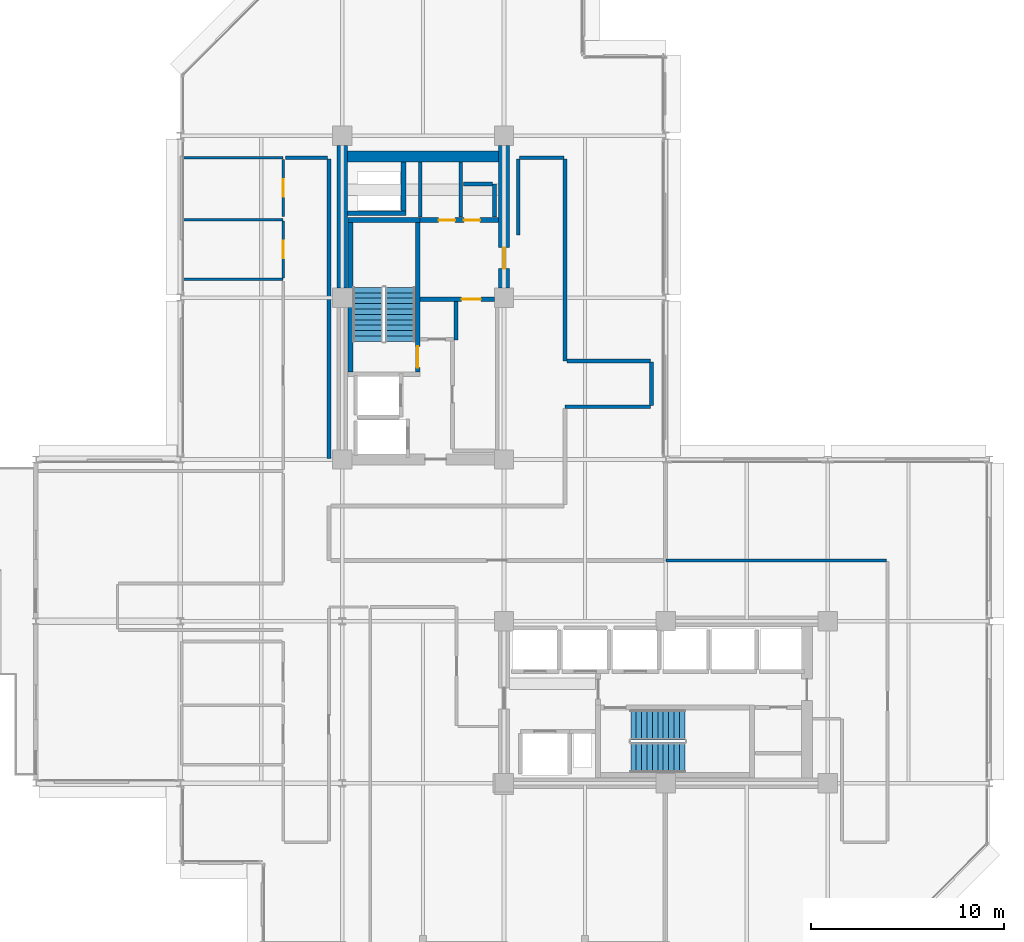
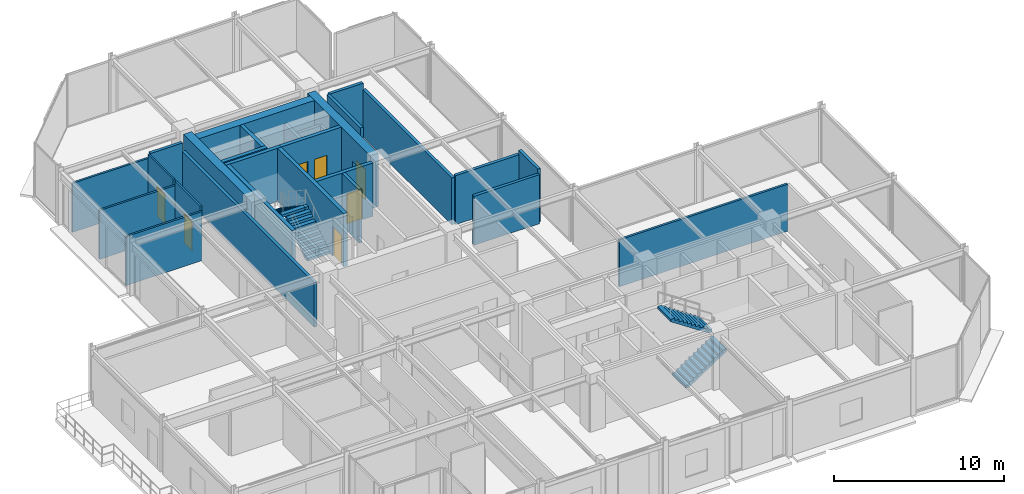
# One storey, part 26 of 29: 29 walls, 7 doors, 4 stair flights, 7 openings, 2 elements without a shape of their own.
"""IFC4 building model written with IfcOpenShell, lengths in metres."""

from ifc_helpers import new_model, si_unit, direction, frame, frame_2d, origin, place, context, subcontext, project, spatial, polyline, rectangle, outline, extrude, material, layer, layer_set, type_object, element, fill, aggregate, save


model = new_model("IFC4")

# Units and contexts
model_context = context("Model", 3, precision=1e-05, world=origin(), true_north=direction((0.0, 1.0)))
body_context = subcontext(model_context, "Body", "Model", "MODEL_VIEW")
ifc_project = project(units=[si_unit("LENGTHUNIT", "METRE"), si_unit("AREAUNIT", "SQUARE_METRE"), si_unit("VOLUMEUNIT", "CUBIC_METRE"), si_unit("PLANEANGLEUNIT", "RADIAN"), si_unit("MASSUNIT", "GRAM", prefix="KILO")], contexts=[model_context])

# Site, building, storey
site_placement = place(None, origin())
site = spatial("IfcSite", under=ifc_project, at=site_placement, CompositionType="ELEMENT")
building_placement = place(site_placement, origin())
building = spatial("IfcBuilding", under=site, at=building_placement, Name="Nerrivon Quay Data Exchange", CompositionType="ELEMENT")
storey_placement = place(building_placement, frame((0.0, 0.0, 191.89990234375)))
storey = spatial("IfcBuildingStorey", under=building, at=storey_placement, Name="L45", CompositionType="ELEMENT", Elevation=191.89990234375)

# Walls
ifc_material_1 = material(Name="Concrete S65 (65 MPa)", Category="concrete")
ifc_layer_1 = layer(ifc_material_1, 0.550048828125)
ifc_layer_set_1 = layer_set([ifc_layer_1], Name="Concrete S65 (65 MPa)")
wall_type_1 = type_object("IfcWallType", Name="WALL-CW-700", PredefinedType="SHEAR", material=ifc_layer_set_1)
wall_1_placement = place(storey_placement, frame((8.39990234375, 34.10009765625, 0.0), z_axis=(0.0, 0.0, 1.0), x_axis=(0.0, 1.0, 0.0)))
element("IfcWall", 1, at=wall_1_placement, inside=storey, type_object=wall_type_1, Name="L45 West Split-Core Shear Wall WCW-W2", PredefinedType="SHEAR", context=body_context, shape_type="SweptSolid", body=[
    extrude(rectangle(XDim=7.39990234375, YDim=0.550048828125, at=frame_2d((3.699951171875, 0.0))), origin(), (0.0, 0.0, 1.0), 3.8251953125),
])
wall_2_placement = place(storey_placement, frame((8.675048828125, 40.925048828125, 0.0), z_axis=(0.0, 0.0, 1.0), x_axis=(1.0, 0.0, 0.0)))
element("IfcWall", 2, at=wall_2_placement, inside=storey, type_object=wall_type_1, Name="L45 West Split-Core Shear Wall WCW-N1", PredefinedType="SHEAR", context=body_context, shape_type="SweptSolid", body=[
    extrude(rectangle(XDim=7.849853515625, YDim=0.550048828125, at=frame_2d((3.9248046875, 0.0))), origin(), (0.0, 0.0, 1.0), 3.8251953125),
])

# Wall, opening, door
wall_3_placement = place(storey_placement, frame((16.800048828125, 34.10009765625, 0.0), z_axis=(0.0, 0.0, 1.0), x_axis=(0.0, 1.0, 0.0)))
wall_3 = element("IfcWall", 3, at=wall_3_placement, inside=storey, type_object=wall_type_1, Name="L45 West Split-Core Shear Wall WCW-E1", PredefinedType="SHEAR", context=body_context, shape_type="SweptSolid", body=[
    extrude(rectangle(XDim=7.39990234375, YDim=0.550048828125, at=frame_2d((3.699951171875, 0.0))), origin(), (0.0, 0.0, 1.0), 3.8251953125),
])
opening_1_placement = place(wall_3_placement, frame((1.0, 0.0, 0.0)))
opening_1 = element("IfcOpeningElement", 4, at=opening_1_placement, cuts=wall_3, Name="Opening FD-120", PredefinedType="OPENING", context=body_context, shape_type="SweptSolid", body=[
    extrude(rectangle(XDim=1.10009765625, YDim=2.14990234375, at=frame_2d((0.550048828125, 1.074951171875))), frame((0.0, 0.284912109375, 0.0), z_axis=(0.0, -1.0, 0.0), x_axis=(1.0, 0.0, 0.0)), (0.0, 0.0, 1.0), 0.570068359375),
])
ifc_material_2 = material(Name="Powder-coated galvanized steel sheet", Category="steel")
door_type_1 = type_object("IfcDoorType", Name="DR-FD120-1100", OperationType="NOTDEFINED", PredefinedType="DOOR", material=ifc_material_2)
door_1_placement = place(opening_1_placement, origin())
door_1 = element("IfcDoor", 5, at=door_1_placement, inside=storey, type_object=door_type_1, Name="L45 West Core Lobby Fire Door", OperationType="SINGLE_SWING_LEFT", OverallHeight=2.14990234375, OverallWidth=1.10009765625, PredefinedType="DOOR", context=body_context, shape_type="SweptSolid", body=[
    extrude(rectangle(XDim=1.10009765625, YDim=2.14990234375, at=frame_2d((0.550048828125, 1.074951171875))), frame((0.0, 0.02490234375, 0.0), z_axis=(0.0, -1.0, 0.0), x_axis=(1.0, 0.0, 0.0)), (0.0, 0.0, 1.0), 0.050048828125),
])
fill(opening_1, door_1)

# Walls
ifc_material_3 = material(Name="Gypsum plasterboard on cold-formed framing", Category="gypsum")
ifc_layer_2 = layer(ifc_material_3, 0.199951171875)
ifc_layer_set_2 = layer_set([ifc_layer_2], Name="Gypsum plasterboard on cold-formed framing")
wall_type_2 = type_object("IfcWallType", Name="WALL-FW-200", PredefinedType="PARTITIONING", material=ifc_layer_set_2)
wall_4_placement = place(storey_placement, frame((14.300048828125, 33.39111328125, 0.0), z_axis=(0.0, 0.0, 1.0), x_axis=(0.0, -1.0, 0.0)))
element("IfcWall", 6, at=wall_4_placement, inside=storey, type_object=wall_type_2, Name="L45 Partition Core Equipment Store", PredefinedType="PARTITIONING", context=body_context, shape_type="SweptSolid", body=[
    extrude(rectangle(XDim=1.9912109375, YDim=0.199951171875, at=frame_2d((0.99560546875, 0.0))), origin(), (0.0, 0.0, 1.0), 3.8251953125),
])
for number, where, z_axis, x_axis, name in (
    (7, (14.550048828125, 37.780029296875, 0.0), (0.0, 0.0, 1.0), (0.0, 1.0, 0.0), "L45 Partition Electrical Switchboard Closet"),
    (8, (12.449951171875, 40.64599609375, 0.0), (0.0, 0.0, 1.0), (0.0, -1.0, 0.0), "L45 Partition Electrical Switchboard Closet"),
):
    element("IfcWall", number, at=place(storey_placement, frame(where, z_axis=z_axis, x_axis=x_axis)), inside=storey, type_object=wall_type_2, Name=name, PredefinedType="PARTITIONING", context=body_context, shape_type="SweptSolid", body=[
        extrude(rectangle(XDim=2.865966796875, YDim=0.199951171875, at=frame_2d((1.43310546875, 0.0))), origin(), (0.0, 0.0, 1.0), 2.875),
    ])
wall_5_placement = place(storey_placement, frame((16.300048828125, 37.780029296875, 0.0), z_axis=(0.0, 0.0, 1.0), x_axis=(0.0, 1.0, 0.0)))
element("IfcWall", 9, at=wall_5_placement, inside=storey, type_object=wall_type_2, Name="L45 Partition Janitor Closet", PredefinedType="PARTITIONING", context=body_context, shape_type="SweptSolid", body=[
    extrude(rectangle(XDim=1.719970703125, YDim=0.199951171875, at=frame_2d((0.85986328125, 0.0))), origin(), (0.0, 0.0, 1.0), 2.875),
])
wall_6_placement = place(storey_placement, frame((16.196044921875, 39.5, 0.0), z_axis=(0.0, 0.0, 1.0), x_axis=(-1.0, 0.0, 0.0)))
element("IfcWall", 10, at=wall_6_placement, inside=storey, type_object=wall_type_2, Name="L45 Partition Janitor Closet", PredefinedType="PARTITIONING", context=body_context, shape_type="SweptSolid", body=[
    extrude(rectangle(XDim=1.506103515625, YDim=0.199951171875, at=frame_2d((0.7529296875, 0.0))), origin(), (0.0, 0.0, 1.0), 2.875),
])
wall_7_placement = place(storey_placement, frame((5.45947265625, 40.860107421875, 0.0), z_axis=(0.0, 0.0, 1.0), x_axis=(1.0, 0.0, 0.0)))
element("IfcWall", 11, at=wall_7_placement, inside=storey, type_object=wall_type_2, Name="L45 Partition Colocation Data Workspace 1", PredefinedType="PARTITIONING", context=body_context, shape_type="SweptSolid", body=[
    extrude(rectangle(XDim=2.1904296875, YDim=0.199951171875, at=frame_2d((1.09521484375, 0.0))), origin(), (0.0, 0.0, 1.0), 3.8251953125),
])
wall_8_placement = place(storey_placement, frame((7.7099609375, 40.800048828125, 0.0), z_axis=(0.0, 0.0, 1.0), x_axis=(0.0, -1.0, 0.0)))
element("IfcWall", 12, at=wall_8_placement, inside=storey, type_object=wall_type_2, Name="L45 Partition Colocation Data Workspace 1", PredefinedType="PARTITIONING", context=body_context, shape_type="SweptSolid", body=[
    extrude(rectangle(XDim=15.5400390625, YDim=0.199951171875, at=frame_2d((7.77001953125, 0.0))), origin(), (0.0, 0.0, 1.0), 3.213134765625),
])
wall_9_placement = place(storey_placement, frame((17.5400390625, 36.860107421875, 0.0), z_axis=(0.0, 0.0, 1.0), x_axis=(0.0, 1.0, 0.0)))
element("IfcWall", 13, at=wall_9_placement, inside=storey, type_object=wall_type_2, Name="L45 Partition Colocation Data Workspace 1", PredefinedType="PARTITIONING", context=body_context, shape_type="SweptSolid", body=[
    extrude(rectangle(XDim=3.93994140625, YDim=0.199951171875, at=frame_2d((1.969970703125, 0.0))), origin(), (0.0, 0.0, 1.0), 3.8251953125),
])
wall_10_placement = place(storey_placement, frame((17.60009765625, 40.860107421875, 0.0), z_axis=(0.0, 0.0, 1.0), x_axis=(1.0, 0.0, 0.0)))
element("IfcWall", 14, at=wall_10_placement, inside=storey, type_object=wall_type_2, Name="L45 Partition Colocation Data Workspace 1", PredefinedType="PARTITIONING", context=body_context, shape_type="SweptSolid", body=[
    extrude(rectangle(XDim=2.2998046875, YDim=0.199951171875, at=frame_2d((1.14990234375, 0.0))), origin(), (0.0, 0.0, 1.0), 3.8251953125),
])
wall_11_placement = place(storey_placement, frame((19.9599609375, 40.800048828125, 0.0), z_axis=(0.0, 0.0, 1.0), x_axis=(0.0, -1.0, 0.0)))
element("IfcWall", 15, at=wall_11_placement, inside=storey, type_object=wall_type_2, Name="L45 Partition Colocation Data Workspace 1", PredefinedType="PARTITIONING", context=body_context, shape_type="SweptSolid", body=[
    extrude(rectangle(XDim=10.489990234375, YDim=0.199951171875, at=frame_2d((5.2451171875, 0.0))), origin(), (0.0, 0.0, 1.0), 3.364990234375),
])
wall_12_placement = place(storey_placement, frame((20.06396484375, 30.31005859375, 0.0), z_axis=(0.0, 0.0, 1.0), x_axis=(1.0, 0.0, 0.0)))
element("IfcWall", 16, at=wall_12_placement, inside=storey, type_object=wall_type_2, Name="L45 Partition Colocation Data Workspace 1", PredefinedType="PARTITIONING", context=body_context, shape_type="SweptSolid", body=[
    extrude(rectangle(XDim=4.3359375, YDim=0.199951171875, at=frame_2d((2.16796875, 0.0))), origin(), (0.0, 0.0, 1.0), 3.51806640625),
])
wall_13_placement = place(storey_placement, frame((24.4599609375, 30.25, 0.0), z_axis=(0.0, 0.0, 1.0), x_axis=(0.0, -1.0, 0.0)))
element("IfcWall", 17, at=wall_13_placement, inside=storey, type_object=wall_type_2, Name="L45 Partition Colocation Data Workspace 1", PredefinedType="PARTITIONING", context=body_context, shape_type="SweptSolid", body=[
    extrude(rectangle(XDim=2.25, YDim=0.199951171875, at=frame_2d((1.125, 0.0))), origin(), (0.0, 0.0, 1.0), 3.8251953125),
])
wall_14_placement = place(storey_placement, frame((24.39990234375, 27.93994140625, 0.0), z_axis=(0.0, 0.0, 1.0), x_axis=(-1.0, 0.0, 0.0)))
element("IfcWall", 18, at=wall_14_placement, inside=storey, type_object=wall_type_2, Name="L45 Partition Colocation Data Workspace 1", PredefinedType="PARTITIONING", context=body_context, shape_type="SweptSolid", body=[
    extrude(rectangle(XDim=4.43994140625, YDim=0.199951171875, at=frame_2d((2.219970703125, 0.0))), origin(), (0.0, 0.0, 1.0), 3.51806640625),
])

# Wall, opening, door
ifc_layer_3 = layer(ifc_material_3, 0.1201171875)
ifc_layer_set_3 = layer_set([ifc_layer_3], Name="Gypsum plasterboard on cold-formed framing")
wall_type_3 = type_object("IfcWallType", Name="WALL-PT-120", PredefinedType="PARTITIONING", material=ifc_layer_set_3)
wall_15_placement = place(storey_placement, frame((5.340087890625, 34.62158203125, 0.0), z_axis=(0.0, 0.0, 1.0), x_axis=(0.0, 1.0, 0.0)))
wall_15 = element("IfcWall", 19, at=wall_15_placement, inside=storey, type_object=wall_type_3, Name="L45 Partition Staff Shower Block", PredefinedType="PARTITIONING", context=body_context, shape_type="SweptSolid", body=[
    extrude(rectangle(XDim=2.95703125, YDim=0.1201171875, at=frame_2d((1.478515625, 0.0))), origin(), (0.0, 0.0, 1.0), 3.8251953125),
])
opening_2_placement = place(wall_15_placement, frame((1.0185546875, 0.0, 0.0)))
opening_2 = element("IfcOpeningElement", 20, at=opening_2_placement, cuts=wall_15, Name="Opening D-WC", PredefinedType="OPENING", context=body_context, shape_type="SweptSolid", body=[
    extrude(rectangle(XDim=0.919921875, YDim=2.10009765625, at=frame_2d((0.4599609375, 1.050048828125))), frame((0.0, 0.070068359375, 0.0), z_axis=(0.0, -1.0, 0.0), x_axis=(1.0, 0.0, 0.0)), (0.0, 0.0, 1.0), 0.14013671875),
])
ifc_material_4 = material(Name="Engineered hardwood timber", Category="wood")
door_type_2 = type_object("IfcDoorType", Name="DR-WC-920", OperationType="NOTDEFINED", PredefinedType="DOOR", material=ifc_material_4)
door_2_placement = place(opening_2_placement, origin())
door_2 = element("IfcDoor", 21, at=door_2_placement, inside=storey, type_object=door_type_2, Name="L45 Door Staff Shower Block", OperationType="SINGLE_SWING_RIGHT", OverallHeight=2.10009765625, OverallWidth=0.919921875, PredefinedType="DOOR", context=body_context, shape_type="SweptSolid", body=[
    extrude(rectangle(XDim=0.919921875, YDim=2.10009765625, at=frame_2d((0.4599609375, 1.050048828125))), frame((0.0, 0.02490234375, 0.0), z_axis=(0.0, -1.0, 0.0), x_axis=(1.0, 0.0, 0.0)), (0.0, 0.0, 1.0), 0.050048828125),
])
fill(opening_2, door_2)

wall_16_placement = place(storey_placement, frame((5.340087890625, 37.800048828125, 0.0), z_axis=(0.0, 0.0, 1.0), x_axis=(0.0, 1.0, 0.0)))
wall_16 = element("IfcWall", 22, at=wall_16_placement, inside=storey, type_object=wall_type_3, Name="L45 Partition Accessible Unisex Toilet", PredefinedType="PARTITIONING", context=body_context, shape_type="SweptSolid", body=[
    extrude(rectangle(XDim=2.978515625, YDim=0.1201171875, at=frame_2d((1.4892578125, 0.0))), origin(), (0.0, 0.0, 1.0), 3.8251953125),
])
opening_3_placement = place(wall_16_placement, frame((1.029296875, 0.0, 0.0)))
opening_3 = element("IfcOpeningElement", 23, at=opening_3_placement, cuts=wall_16, Name="Opening D-WC", PredefinedType="OPENING", context=body_context, shape_type="SweptSolid", body=[
    extrude(rectangle(XDim=0.919921875, YDim=2.10009765625, at=frame_2d((0.4599609375, 1.050048828125))), frame((0.0, 0.070068359375, 0.0), z_axis=(0.0, -1.0, 0.0), x_axis=(1.0, 0.0, 0.0)), (0.0, 0.0, 1.0), 0.14013671875),
])
door_3_placement = place(opening_3_placement, origin())
door_3 = element("IfcDoor", 24, at=door_3_placement, inside=storey, type_object=door_type_2, Name="L45 Door Accessible Unisex Toilet", OperationType="SINGLE_SWING_LEFT", OverallHeight=2.10009765625, OverallWidth=0.919921875, PredefinedType="DOOR", context=body_context, shape_type="SweptSolid", body=[
    extrude(rectangle(XDim=0.919921875, YDim=2.10009765625, at=frame_2d((0.4599609375, 1.050048828125))), frame((0.0, 0.02490234375, 0.0), z_axis=(0.0, -1.0, 0.0), x_axis=(1.0, 0.0, 0.0)), (0.0, 0.0, 1.0), 0.050048828125),
])
fill(opening_3, door_3)

# Walls
ifc_layer_4 = layer(ifc_material_3, 0.135009765625)
ifc_layer_set_4 = layer_set([ifc_layer_4], Name="Gypsum plasterboard on cold-formed framing")
wall_type_4 = type_object("IfcWallType", Name="WALL-PT-135", PredefinedType="PARTITIONING", material=ifc_layer_set_4)
for number, where, z_axis, x_axis, name in (
    (25, (5.340087890625, 37.64990234375, 0.0), (0.0, 0.0, 1.0), (-1.0, 0.0, 0.0), "L45 Partition Staff Shower Block"),
    (26, (0.1689453125, 34.550048828125, 0.0), (0.0, 0.0, 1.0), (1.0, 0.0, 0.0), "L45 Partition Staff Shower Block"),
    (27, (5.340087890625, 40.85009765625, 0.0), (0.0, 0.0, 1.0), (-1.0, 0.0, 0.0), "L45 Partition Accessible Unisex Toilet"),
):
    element("IfcWall", number, at=place(storey_placement, frame(where, z_axis=z_axis, x_axis=x_axis)), inside=storey, type_object=wall_type_4, Name=name, PredefinedType="PARTITIONING", context=body_context, shape_type="SweptSolid", body=[
        extrude(rectangle(XDim=5.171142578125, YDim=0.135009765625, at=frame_2d((2.58544921875, 0.0))), origin(), (0.0, 0.0, 1.0), 3.51806640625),
    ])
ifc_layer_5 = layer(ifc_material_3, 0.14990234375)
ifc_layer_set_5 = layer_set([ifc_layer_5], Name="Gypsum plasterboard on cold-formed framing")
wall_type_5 = type_object("IfcWallType", Name="WALL-PT-150", PredefinedType="PARTITIONING", material=ifc_layer_set_5)
wall_17_placement = place(storey_placement, frame((25.20947265625, 19.9599609375, 0.0), z_axis=(0.0, 0.0, 1.0), x_axis=(1.0, 0.0, 0.0)))
element("IfcWall", 28, at=wall_17_placement, inside=storey, type_object=wall_type_5, Name="L45 Partition Technical Library", PredefinedType="PARTITIONING", context=body_context, shape_type="SweptSolid", body=[
    extrude(rectangle(XDim=11.4404296875, YDim=0.14990234375, at=frame_2d((5.72021484375, 0.0))), origin(), (0.0, 0.0, 1.0), 3.37109375),
])
ifc_material_5 = material(Name="Concrete N50 (50 MPa)", Category="concrete")
ifc_layer_6 = layer(ifc_material_5, 0.25)
ifc_layer_set_6 = layer_set([ifc_layer_6], Name="Concrete N50 (50 MPa)")
wall_type_6 = type_object("IfcWallType", Name="WALL-SW-250", PredefinedType="SHEAR", material=ifc_layer_set_6)
wall_18_placement = place(storey_placement, frame((12.449951171875, 37.625, 0.0), z_axis=(0.0, 0.0, 1.0), x_axis=(-1.0, 0.0, 0.0)))
element("IfcWall", 29, at=wall_18_placement, inside=storey, type_object=wall_type_6, Name="L45 ST01 Structural Stair Core Wall FAR", PredefinedType="SHEAR", context=body_context, shape_type="SweptSolid", body=[
    extrude(rectangle(XDim=3.75, YDim=0.25, at=frame_2d((1.875, 0.0))), origin(), (0.0, 0.0, 1.0), 3.8251953125),
])

# Wall, opening, door
wall_19_placement = place(storey_placement, frame((12.324951171875, 29.75, 0.0), z_axis=(0.0, 0.0, 1.0), x_axis=(0.0, 1.0, 0.0)))
wall_19 = element("IfcWall", 30, at=wall_19_placement, inside=storey, type_object=wall_type_6, Name="L45 ST01 Structural Stair Core Wall LEFT", PredefinedType="SHEAR", context=body_context, shape_type="SweptSolid", body=[
    extrude(rectangle(XDim=7.75, YDim=0.25, at=frame_2d((3.875, 0.0))), origin(), (0.0, 0.0, 1.0), 3.8251953125),
])
opening_4_placement = place(wall_19_placement, frame((0.219970703125, 0.0, 0.0)))
opening_4 = element("IfcOpeningElement", 31, at=opening_4_placement, cuts=wall_19, Name="Opening FD-120", PredefinedType="OPENING", context=body_context, shape_type="SweptSolid", body=[
    extrude(rectangle(XDim=1.10009765625, YDim=2.14990234375, at=frame_2d((0.550048828125, 1.074951171875))), frame((0.0, 0.135009765625, 0.0), z_axis=(0.0, -1.0, 0.0), x_axis=(1.0, 0.0, 0.0)), (0.0, 0.0, 1.0), 0.27001953125),
])
door_4_placement = place(opening_4_placement, origin())
door_4 = element("IfcDoor", 32, at=door_4_placement, inside=storey, type_object=door_type_1, Name="L45 Protected Stair Door ST01", OperationType="SINGLE_SWING_LEFT", OverallHeight=2.14990234375, OverallWidth=1.10009765625, PredefinedType="DOOR", context=body_context, shape_type="SweptSolid", body=[
    extrude(rectangle(XDim=1.10009765625, YDim=2.14990234375, at=frame_2d((0.550048828125, 1.074951171875))), frame((0.0, 0.02490234375, 0.0), z_axis=(0.0, -1.0, 0.0), x_axis=(1.0, 0.0, 0.0)), (0.0, 0.0, 1.0), 0.050048828125),
])
fill(opening_4, door_4)

# Walls
wall_20_placement = place(storey_placement, frame((8.824951171875, 29.75, 0.0), z_axis=(0.0, 0.0, 1.0), x_axis=(0.0, 1.0, 0.0)))
element("IfcWall", 33, at=wall_20_placement, inside=storey, type_object=wall_type_6, Name="L45 ST01 Structural Stair Core Wall RIGHT", PredefinedType="SHEAR", context=body_context, shape_type="SweptSolid", body=[
    extrude(rectangle(XDim=7.75, YDim=0.25, at=frame_2d((3.875, 0.0))), origin(), (0.0, 0.0, 1.0), 3.8251953125),
])
wall_21_placement = place(storey_placement, frame((8.675048828125, 37.97509765625, 0.0), z_axis=(0.0, 0.0, 1.0), x_axis=(1.0, 0.0, 0.0)))
element("IfcWall", 34, at=wall_21_placement, inside=storey, type_object=wall_type_6, Name="L45 West Core MEP Riser Shaft Wall S", PredefinedType="SHEAR", context=body_context, shape_type="SweptSolid", body=[
    extrude(rectangle(XDim=3.02490234375, YDim=0.25, at=frame_2d((1.512451171875, 0.0))), origin(), (0.0, 0.0, 1.0), 3.8251953125),
])
wall_22_placement = place(storey_placement, frame((11.574951171875, 38.10009765625, 0.0), z_axis=(0.0, 0.0, 1.0), x_axis=(0.0, 1.0, 0.0)))
element("IfcWall", 35, at=wall_22_placement, inside=storey, type_object=wall_type_6, Name="L45 West Core MEP Riser Shaft Wall E", PredefinedType="SHEAR", context=body_context, shape_type="SweptSolid", body=[
    extrude(rectangle(XDim=2.5498046875, YDim=0.25, at=frame_2d((1.27490234375, 0.0))), origin(), (0.0, 0.0, 1.0), 3.8251953125),
])

# Wall, opening, door
wall_23_placement = place(storey_placement, frame((12.449951171875, 33.52001953125, 0.0), z_axis=(0.0, 0.0, 1.0), x_axis=(1.0, 0.0, 0.0)))
wall_23 = element("IfcWall", 36, at=wall_23_placement, inside=storey, type_object=wall_type_6, Name="L45 West Lobby Smoke-Stop Wall", PredefinedType="SHEAR", context=body_context, shape_type="SweptSolid", body=[
    extrude(rectangle(XDim=3.85009765625, YDim=0.25, at=frame_2d((1.925048828125, 0.0))), origin(), (0.0, 0.0, 1.0), 3.8251953125),
])
opening_5_placement = place(wall_23_placement, frame((2.14990234375, 0.0, 0.0)))
opening_5 = element("IfcOpeningElement", 37, at=opening_5_placement, cuts=wall_23, Name="Opening FD-60", PredefinedType="OPENING", context=body_context, shape_type="SweptSolid", body=[
    extrude(rectangle(XDim=1.0, YDim=2.14990234375, at=frame_2d((0.5, 1.074951171875))), frame((0.0, 0.135009765625, 0.0), z_axis=(0.0, -1.0, 0.0), x_axis=(1.0, 0.0, 0.0)), (0.0, 0.0, 1.0), 0.27001953125),
])
door_type_3 = type_object("IfcDoorType", Name="DR-FD60-1000", OperationType="NOTDEFINED", PredefinedType="DOOR", material=ifc_material_4)
door_5_placement = place(opening_5_placement, origin())
door_5 = element("IfcDoor", 38, at=door_5_placement, inside=storey, type_object=door_type_3, Name="L45 West Firefighting Lobby Fire Door", OperationType="SINGLE_SWING_LEFT", OverallHeight=2.14990234375, OverallWidth=1.0, PredefinedType="DOOR", context=body_context, shape_type="SweptSolid", body=[
    extrude(rectangle(XDim=1.0, YDim=2.14990234375, at=frame_2d((0.5, 1.074951171875))), frame((0.0, 0.02490234375, 0.0), z_axis=(0.0, -1.0, 0.0), x_axis=(1.0, 0.0, 0.0)), (0.0, 0.0, 1.0), 0.050048828125),
])
fill(opening_5, door_5)

# Wall, openings, doors
wall_24_placement = place(storey_placement, frame((12.449951171875, 37.625, 0.0), z_axis=(0.0, 0.0, 1.0), x_axis=(1.0, 0.0, 0.0)))
wall_24 = element("IfcWall", 39, at=wall_24_placement, inside=storey, type_object=wall_type_6, Name="L45 West Firefighting Lobby Wall", PredefinedType="SHEAR", context=body_context, shape_type="SweptSolid", body=[
    extrude(rectangle(XDim=4.074951171875, YDim=0.25, at=frame_2d((2.03759765625, 0.0))), origin(), (0.0, 0.0, 1.0), 3.8251953125),
])
opening_6_placement = place(wall_24_placement, frame((0.96044921875, 0.0, 0.0)))
opening_6 = element("IfcOpeningElement", 40, at=opening_6_placement, cuts=wall_24, Name="Opening FD-60S", PredefinedType="OPENING", context=body_context, shape_type="SweptSolid", body=[
    extrude(rectangle(XDim=0.85009765625, YDim=2.14990234375, at=frame_2d((0.425048828125, 1.074951171875))), frame((0.0, 0.135009765625, 0.0), z_axis=(0.0, -1.0, 0.0), x_axis=(1.0, 0.0, 0.0)), (0.0, 0.0, 1.0), 0.27001953125),
])
opening_7_placement = place(wall_24_placement, frame((2.264404296875, 0.0, 0.0)))
opening_7 = element("IfcOpeningElement", 41, at=opening_7_placement, cuts=wall_24, Name="Opening FD-60S", PredefinedType="OPENING", context=body_context, shape_type="SweptSolid", body=[
    extrude(rectangle(XDim=0.85009765625, YDim=2.14990234375, at=frame_2d((0.425048828125, 1.074951171875))), frame((0.0, 0.135009765625, 0.0), z_axis=(0.0, -1.0, 0.0), x_axis=(1.0, 0.0, 0.0)), (0.0, 0.0, 1.0), 0.27001953125),
])
door_type_4 = type_object("IfcDoorType", Name="DR-FD60-850", OperationType="NOTDEFINED", PredefinedType="DOOR", material=ifc_material_4)
door_6_placement = place(opening_6_placement, origin())
door_6 = element("IfcDoor", 42, at=door_6_placement, inside=storey, type_object=door_type_4, Name="L45 Door Electrical Switchboard Closet", OperationType="SINGLE_SWING_LEFT", OverallHeight=2.14990234375, OverallWidth=0.85009765625, PredefinedType="DOOR", context=body_context, shape_type="SweptSolid", body=[
    extrude(rectangle(XDim=0.85009765625, YDim=2.14990234375, at=frame_2d((0.425048828125, 1.074951171875))), frame((0.0, 0.02490234375, 0.0), z_axis=(0.0, -1.0, 0.0), x_axis=(1.0, 0.0, 0.0)), (0.0, 0.0, 1.0), 0.050048828125),
])
fill(opening_6, door_6)
door_7_placement = place(opening_7_placement, origin())
door_7 = element("IfcDoor", 43, at=door_7_placement, inside=storey, type_object=door_type_4, Name="L45 Door Janitor Closet", OperationType="SINGLE_SWING_RIGHT", OverallHeight=2.14990234375, OverallWidth=0.85009765625, PredefinedType="DOOR", context=body_context, shape_type="SweptSolid", body=[
    extrude(rectangle(XDim=0.85009765625, YDim=2.14990234375, at=frame_2d((0.425048828125, 1.074951171875))), frame((0.0, 0.02490234375, 0.0), z_axis=(0.0, -1.0, 0.0), x_axis=(1.0, 0.0, 0.0)), (0.0, 0.0, 1.0), 0.050048828125),
])
fill(opening_7, door_7)

# Stair, stair flights
stair_type = type_object("IfcStairType", Name="STAIR-DOG-41", PredefinedType="HALF_TURN_STAIR", material=ifc_material_5)
stair_1_placement = place(storey_placement, origin())
stair_1 = element("IfcStair", 44, at=stair_1_placement, inside=storey, type_object=stair_type, Name="L45 West Core Fire Stair ST01", PredefinedType="HALF_TURN_STAIR")
stair_flight_type = type_object("IfcStairFlightType", Name="FLIGHT-DOG-41", PredefinedType="STRAIGHT", material=ifc_material_5)
stair_flight_1_placement = place(storey_placement, frame((11.425048828125, 31.330078125, 0.0), z_axis=(0.0, 0.0, 1.0), x_axis=(0.0, 1.0, 0.0)))
stair_flight_1 = element("IfcStairFlight", 45, at=stair_flight_1_placement, type_object=stair_flight_type, Name="ST01 flight 1", NumberOfRisers=11, NumberOfTreads=10, PredefinedType="STRAIGHT", RiserHeight=0.186363636, TreadLength=0.28, context=body_context, shape_type="SweptSolid", body=[
    extrude(outline(polyline([(0.0, 0.0), (0.0, 0.186279296875), (0.280029296875, 0.186279296875), (0.280029296875, 0.372802734375), (0.56005859375, 0.372802734375), (0.56005859375, 0.55908203125), (0.840087890625, 0.55908203125), (0.840087890625, 0.745361328125), (1.1201171875, 0.745361328125), (1.1201171875, 0.931884765625), (1.39990234375, 0.931884765625), (1.39990234375, 1.1181640625), (1.679931640625, 1.1181640625), (1.679931640625, 1.304443359375), (1.9599609375, 1.304443359375), (1.9599609375, 1.490966796875), (2.239990234375, 1.490966796875), (2.239990234375, 1.67724609375), (2.52001953125, 1.67724609375), (2.52001953125, 1.863525390625), (2.800048828125, 1.863525390625), (2.800048828125, 2.050048828125), (2.800048828125, 1.68359375), (0.2705078125, 0.0), (0.0, 0.0)])), frame((0.0, 0.77490234375, 0.0), z_axis=(0.0, -1.0, 0.0), x_axis=(1.0, 0.0, 0.0)), (0.0, 0.0, 1.0), 1.550048828125),
])
stair_flight_2_placement = place(storey_placement, frame((9.72509765625, 34.1298828125, 2.050048828125), z_axis=(0.0, 0.0, 1.0), x_axis=(0.0, -1.0, 0.0)))
stair_flight_2 = element("IfcStairFlight", 46, at=stair_flight_2_placement, type_object=stair_flight_type, Name="ST01 flight 2", NumberOfRisers=11, NumberOfTreads=10, PredefinedType="STRAIGHT", RiserHeight=0.186363636, TreadLength=0.28, context=body_context, shape_type="SweptSolid", body=[
    extrude(outline(polyline([(0.0, 0.0), (0.0, 0.186279296875), (0.280029296875, 0.186279296875), (0.280029296875, 0.372802734375), (0.56005859375, 0.372802734375), (0.56005859375, 0.55908203125), (0.840087890625, 0.55908203125), (0.840087890625, 0.745361328125), (1.1201171875, 0.745361328125), (1.1201171875, 0.931884765625), (1.39990234375, 0.931884765625), (1.39990234375, 1.1181640625), (1.679931640625, 1.1181640625), (1.679931640625, 1.304443359375), (1.9599609375, 1.304443359375), (1.9599609375, 1.490966796875), (2.239990234375, 1.490966796875), (2.239990234375, 1.67724609375), (2.52001953125, 1.67724609375), (2.52001953125, 1.863525390625), (2.800048828125, 1.863525390625), (2.800048828125, 2.050048828125), (2.800048828125, 1.68359375), (0.2705078125, 0.0), (0.0, 0.0)])), frame((0.0, 0.77490234375, 0.0), z_axis=(0.0, -1.0, 0.0), x_axis=(1.0, 0.0, 0.0)), (0.0, 0.0, 1.0), 1.550048828125),
])
aggregate(stair_1, [stair_flight_1, stair_flight_2])

stair_2_placement = place(storey_placement, origin())
stair_2 = element("IfcStair", 47, at=stair_2_placement, inside=storey, type_object=stair_type, Name="L45 East Core Fire Stair ST02", PredefinedType="HALF_TURN_STAIR")
stair_flight_3_placement = place(storey_placement, frame((23.3798828125, 9.72509765625, 0.0), z_axis=(0.0, 0.0, 1.0), x_axis=(1.0, 0.0, 0.0)))
stair_flight_3 = element("IfcStairFlight", 48, at=stair_flight_3_placement, type_object=stair_flight_type, Name="ST02 flight 1", NumberOfRisers=11, NumberOfTreads=10, PredefinedType="STRAIGHT", RiserHeight=0.186363636, TreadLength=0.28, context=body_context, shape_type="SweptSolid", body=[
    extrude(outline(polyline([(0.0, 0.0), (0.0, 0.186279296875), (0.280029296875, 0.186279296875), (0.280029296875, 0.372802734375), (0.56005859375, 0.372802734375), (0.56005859375, 0.55908203125), (0.840087890625, 0.55908203125), (0.840087890625, 0.745361328125), (1.1201171875, 0.745361328125), (1.1201171875, 0.931884765625), (1.39990234375, 0.931884765625), (1.39990234375, 1.1181640625), (1.679931640625, 1.1181640625), (1.679931640625, 1.304443359375), (1.9599609375, 1.304443359375), (1.9599609375, 1.490966796875), (2.239990234375, 1.490966796875), (2.239990234375, 1.67724609375), (2.52001953125, 1.67724609375), (2.52001953125, 1.863525390625), (2.800048828125, 1.863525390625), (2.800048828125, 2.050048828125), (2.800048828125, 1.68359375), (0.2705078125, 0.0), (0.0, 0.0)])), frame((0.0, 0.77490234375, 0.0), z_axis=(0.0, -1.0, 0.0), x_axis=(1.0, 0.0, 0.0)), (0.0, 0.0, 1.0), 1.550048828125),
])
stair_flight_4_placement = place(storey_placement, frame((26.179931640625, 11.425048828125, 2.050048828125), z_axis=(0.0, 0.0, 1.0), x_axis=(-1.0, 0.0, 0.0)))
stair_flight_4 = element("IfcStairFlight", 49, at=stair_flight_4_placement, type_object=stair_flight_type, Name="ST02 flight 2", NumberOfRisers=11, NumberOfTreads=10, PredefinedType="STRAIGHT", RiserHeight=0.186363636, TreadLength=0.28, context=body_context, shape_type="SweptSolid", body=[
    extrude(outline(polyline([(0.0, 0.0), (0.0, 0.186279296875), (0.280029296875, 0.186279296875), (0.280029296875, 0.372802734375), (0.56005859375, 0.372802734375), (0.56005859375, 0.55908203125), (0.840087890625, 0.55908203125), (0.840087890625, 0.745361328125), (1.1201171875, 0.745361328125), (1.1201171875, 0.931884765625), (1.39990234375, 0.931884765625), (1.39990234375, 1.1181640625), (1.679931640625, 1.1181640625), (1.679931640625, 1.304443359375), (1.9599609375, 1.304443359375), (1.9599609375, 1.490966796875), (2.239990234375, 1.490966796875), (2.239990234375, 1.67724609375), (2.52001953125, 1.67724609375), (2.52001953125, 1.863525390625), (2.800048828125, 1.863525390625), (2.800048828125, 2.050048828125), (2.800048828125, 1.68359375), (0.2705078125, 0.0), (0.0, 0.0)])), frame((0.0, 0.77490234375, 0.0), z_axis=(0.0, -1.0, 0.0), x_axis=(1.0, 0.0, 0.0)), (0.0, 0.0, 1.0), 1.550048828125),
])
aggregate(stair_2, [stair_flight_3, stair_flight_4])

save(model, "model.ifc")
